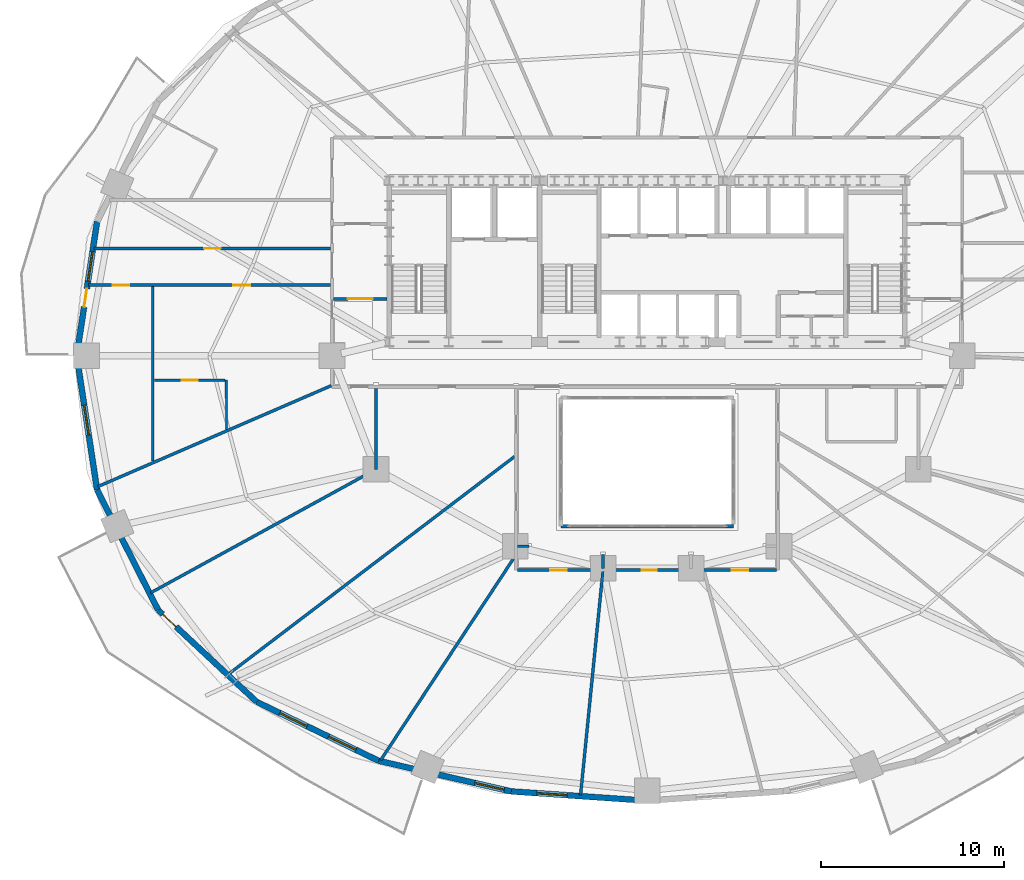
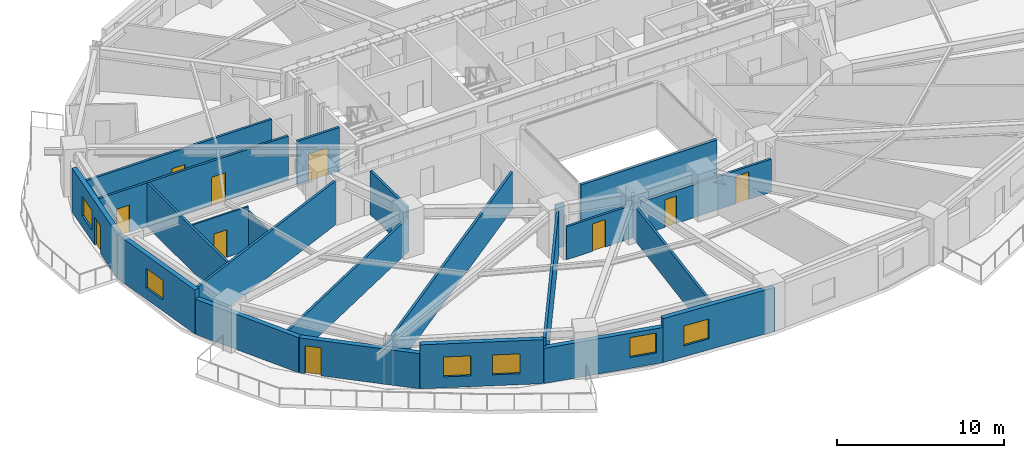
# One storey, part 9 of 18: 23 walls, 10 doors, 6 windows, 16 openings.
"""IFC4 building model written with IfcOpenShell, lengths in metres."""

from ifc_helpers import new_model, si_unit, direction, frame, frame_2d, origin, place, context, subcontext, project, spatial, rectangle, extrude, material, layer, layer_set, type_object, element, fill, save


model = new_model("IFC4")

# Units and contexts
model_context = context("Model", 3, precision=1e-05, world=origin(), true_north=direction((0.0, 1.0)))
body_context = subcontext(model_context, "Body", "Model", "MODEL_VIEW")
ifc_project = project(units=[si_unit("LENGTHUNIT", "METRE"), si_unit("AREAUNIT", "SQUARE_METRE"), si_unit("VOLUMEUNIT", "CUBIC_METRE"), si_unit("PLANEANGLEUNIT", "RADIAN"), si_unit("MASSUNIT", "GRAM", prefix="KILO")], contexts=[model_context])

# Site, building, storey
site_placement = place(None, origin())
site = spatial("IfcSite", under=ifc_project, at=site_placement, CompositionType="ELEMENT")
building_placement = place(site_placement, origin())
building = spatial("IfcBuilding", under=site, at=building_placement, Name="Haldorwick Loom Tower", CompositionType="ELEMENT")
storey_placement = place(building_placement, frame((0.0, 0.0, 41.25)))
storey = spatial("IfcBuildingStorey", under=building, at=storey_placement, Name="L10", CompositionType="ELEMENT", Elevation=41.25)

# Wall, openings, door, window
ifc_material_1 = material(Name="Pressed Clay Face Brick and Insulated Masonry Backup Assembly", Category="masonry")
ifc_layer_1 = layer(ifc_material_1, 0.320068359375, Name="Pressed Clay Face Brick and Insulated Masonry Backup Assembly", Category="masonry")
ifc_layer_set_1 = layer_set([ifc_layer_1], Name="Pressed Clay Face Brick and Insulated Masonry Backup Assembly")
wall_type_1 = type_object("IfcWallType", Name="ARC-WL-EXT320", PredefinedType="STANDARD", material=ifc_layer_set_1)
wall_1_placement = place(storey_placement, frame((5.978271484375, 33.320556640625, 0.0), z_axis=(0.0, 0.0, 1.0), x_axis=(-0.150476322528, -0.988613613278, 0.0)))
wall_1 = element("IfcWall", 1, at=wall_1_placement, inside=storey, type_object=wall_type_1, Name="L10 Brick Pier and Spandrel Wall 12", PredefinedType="STANDARD", context=body_context, shape_type="SweptSolid", body=[
    extrude(rectangle(XDim=7.40478515625, YDim=0.320068359375, at=frame_2d((3.702392578125, 0.0))), origin(), (0.0, 0.0, 1.0), 3.2099609375),
])
opening_1_placement = place(wall_1_placement, frame((3.714599609375, 0.0, 0.0)))
opening_1 = element("IfcOpeningElement", 2, at=opening_1_placement, cuts=wall_1, Name="Opening D-BL10", PredefinedType="OPENING", context=body_context, shape_type="SweptSolid", body=[
    extrude(rectangle(XDim=1.0, YDim=2.0400390625, at=frame_2d((0.5, 1.02001953125))), frame((0.0, 0.169921875, 0.0), z_axis=(0.0, -1.0, 0.0), x_axis=(1.0, 0.0, 0.0)), (0.0, 0.0, 1.0), 0.340087890625),
])
opening_2_placement = place(wall_1_placement, frame((1.653564453125, 0.0, 0.800048828125)))
opening_2 = element("IfcOpeningElement", 3, at=opening_2_placement, cuts=wall_1, Name="Opening W-01B", PredefinedType="OPENING", context=body_context, shape_type="SweptSolid", body=[
    extrude(rectangle(XDim=1.64990234375, YDim=1.449951171875, at=frame_2d((0.824951171875, 0.72509765625))), frame((0.0, 0.169921875, 0.0), z_axis=(0.0, -1.0, 0.0), x_axis=(1.0, 0.0, 0.0)), (0.0, 0.0, 1.0), 0.340087890625),
])
ifc_material_2 = material(Name="Thermally Broken Anodized Aluminium Curtain Wall Framing", Category="aluminium")
door_type_1 = type_object("IfcDoorType", Name="ARC-DR-BAL100", OperationType="NOTDEFINED", PredefinedType="DOOR", material=ifc_material_2)
door_1_placement = place(opening_1_placement, origin())
door_1 = element("IfcDoor", 4, at=door_1_placement, inside=storey, type_object=door_type_1, Name="L10 Outdoor Terrace Door SLB-L10-BAL_WNW", OperationType="SINGLE_SWING_LEFT", OverallHeight=2.0400390625, OverallWidth=1.0, PredefinedType="DOOR", context=body_context, shape_type="SweptSolid", body=[
    extrude(rectangle(XDim=1.0, YDim=2.0400390625, at=frame_2d((0.5, 1.02001953125))), frame((0.0, 0.02490234375, 0.0), z_axis=(0.0, -1.0, 0.0), x_axis=(1.0, 0.0, 0.0)), (0.0, 0.0, 1.0), 0.050048828125),
])
fill(opening_1, door_1)
ifc_material_3 = material(Name="Triple-Glazed Low-E Argon Insulated Glazing Unit", Category="glass")
window_type = type_object("IfcWindowType", Name="ARC-WIN-W165", PartitioningType="SINGLE_PANEL", PredefinedType="WINDOW", material=ifc_material_3)
window_1_placement = place(opening_2_placement, origin())
window_1 = element("IfcWindow", 5, at=window_1_placement, inside=storey, type_object=window_type, Name="L10 Deep-Set Zone 7A Window 12", OverallHeight=1.449951171875, OverallWidth=1.64990234375, PartitioningType="SINGLE_PANEL", PredefinedType="WINDOW", context=body_context, shape_type="SweptSolid", body=[
    extrude(rectangle(XDim=1.64990234375, YDim=1.449951171875, at=frame_2d((0.824951171875, 0.72509765625))), frame((0.0, 0.030029296875, 0.0), z_axis=(0.0, -1.0, 0.0), x_axis=(1.0, 0.0, 0.0)), (0.0, 0.0, 1.0), 0.06005859375),
])
fill(opening_2, window_1)

# Wall, opening, window
wall_2_placement = place(storey_placement, frame((4.864013671875, 26.0, 0.0), z_axis=(0.0, 0.0, 1.0), x_axis=(0.150476322528, -0.988613613278, 0.0)))
wall_2 = element("IfcWall", 6, at=wall_2_placement, inside=storey, type_object=wall_type_1, Name="L10 Brick Pier and Spandrel Wall 13", PredefinedType="STANDARD", context=body_context, shape_type="SweptSolid", body=[
    extrude(rectangle(XDim=7.40478515625, YDim=0.320068359375, at=frame_2d((3.702392578125, 0.0))), origin(), (0.0, 0.0, 1.0), 3.2099609375),
])
opening_3_placement = place(wall_2_placement, frame((2.728271484375, 0.0, 0.800048828125)))
opening_3 = element("IfcOpeningElement", 7, at=opening_3_placement, cuts=wall_2, Name="Opening W-01B", PredefinedType="OPENING", context=body_context, shape_type="SweptSolid", body=[
    extrude(rectangle(XDim=1.64990234375, YDim=1.449951171875, at=frame_2d((0.824951171875, 0.72509765625))), frame((0.0, 0.169921875, 0.0), z_axis=(0.0, -1.0, 0.0), x_axis=(1.0, 0.0, 0.0)), (0.0, 0.0, 1.0), 0.340087890625),
])
window_2_placement = place(opening_3_placement, origin())
window_2 = element("IfcWindow", 8, at=window_2_placement, inside=storey, type_object=window_type, Name="L10 Deep-Set Zone 7A Window 13", OverallHeight=1.449951171875, OverallWidth=1.64990234375, PartitioningType="SINGLE_PANEL", PredefinedType="WINDOW", context=body_context, shape_type="SweptSolid", body=[
    extrude(rectangle(XDim=1.64990234375, YDim=1.449951171875, at=frame_2d((0.824951171875, 0.72509765625))), frame((0.0, 0.030029296875, 0.0), z_axis=(0.0, -1.0, 0.0), x_axis=(1.0, 0.0, 0.0)), (0.0, 0.0, 1.0), 0.06005859375),
])
fill(opening_3, window_2)

# Wall
wall_3_placement = place(storey_placement, frame((5.978271484375, 18.679443359375, 0.0), z_axis=(0.0, 0.0, 1.0), x_axis=(0.452950855928, -0.891535485617, 0.0)))
element("IfcWall", 9, at=wall_3_placement, inside=storey, type_object=wall_type_1, Name="L10 Brick Pier and Spandrel Wall 14", PredefinedType="STANDARD", context=body_context, shape_type="SweptSolid", body=[
    extrude(rectangle(XDim=7.3583984375, YDim=0.320068359375, at=frame_2d((3.67919921875, 0.0))), origin(), (0.0, 0.0, 1.0), 2.569091796875),
])

# Wall, opening, door
wall_4_placement = place(storey_placement, frame((9.311279296875, 12.119140625, 0.0), z_axis=(0.0, 0.0, 1.0), x_axis=(0.73176101237, -0.681561311091, 0.0)))
wall_4 = element("IfcWall", 10, at=wall_4_placement, inside=storey, type_object=wall_type_1, Name="L10 Brick Pier and Spandrel Wall 15", PredefinedType="STANDARD", context=body_context, shape_type="SweptSolid", body=[
    extrude(rectangle(XDim=7.3583984375, YDim=0.320068359375, at=frame_2d((3.67919921875, 0.0))), origin(), (0.0, 0.0, 1.0), 2.569091796875),
])
opening_4_placement = place(wall_4_placement, frame((0.340087890625, 0.0, 0.0)))
opening_4 = element("IfcOpeningElement", 11, at=opening_4_placement, cuts=wall_4, Name="Opening D-BL10", PredefinedType="OPENING", context=body_context, shape_type="SweptSolid", body=[
    extrude(rectangle(XDim=1.0, YDim=2.0400390625, at=frame_2d((0.5, 1.02001953125))), frame((0.0, 0.169921875, 0.0), z_axis=(0.0, -1.0, 0.0), x_axis=(1.0, 0.0, 0.0)), (0.0, 0.0, 1.0), 0.340087890625),
])
door_2_placement = place(opening_4_placement, origin())
door_2 = element("IfcDoor", 12, at=door_2_placement, inside=storey, type_object=door_type_1, Name="L10 Outdoor Terrace Door SLB-L10-BAL_SW", OperationType="SINGLE_SWING_LEFT", OverallHeight=2.0400390625, OverallWidth=1.0, PredefinedType="DOOR", context=body_context, shape_type="SweptSolid", body=[
    extrude(rectangle(XDim=1.0, YDim=2.0400390625, at=frame_2d((0.5, 1.02001953125))), frame((0.0, 0.02490234375, 0.0), z_axis=(0.0, -1.0, 0.0), x_axis=(1.0, 0.0, 0.0)), (0.0, 0.0, 1.0), 0.050048828125),
])
fill(opening_4, door_2)

# Wall, openings, windows
wall_5_placement = place(storey_placement, frame((14.69580078125, 7.10400390625, 0.0), z_axis=(0.0, 0.0, 1.0), x_axis=(0.900295710431, -0.435278800057, 0.0)))
wall_5 = element("IfcWall", 13, at=wall_5_placement, inside=storey, type_object=wall_type_1, Name="L10 Brick Pier and Spandrel Wall 16", PredefinedType="STANDARD", context=body_context, shape_type="SweptSolid", body=[
    extrude(rectangle(XDim=7.39697265625, YDim=0.320068359375, at=frame_2d((3.698486328125, 0.0))), origin(), (0.0, 0.0, 1.0), 3.2099609375),
])
opening_5_placement = place(wall_5_placement, frame((1.39404296875, 0.0, 0.800048828125)))
opening_5 = element("IfcOpeningElement", 14, at=opening_5_placement, cuts=wall_5, Name="Opening W-01B", PredefinedType="OPENING", context=body_context, shape_type="SweptSolid", body=[
    extrude(rectangle(XDim=1.64990234375, YDim=1.449951171875, at=frame_2d((0.824951171875, 0.72509765625))), frame((0.0, 0.169921875, 0.0), z_axis=(0.0, -1.0, 0.0), x_axis=(1.0, 0.0, 0.0)), (0.0, 0.0, 1.0), 0.340087890625),
])
opening_6_placement = place(wall_5_placement, frame((4.352783203125, 0.0, 0.800048828125)))
opening_6 = element("IfcOpeningElement", 15, at=opening_6_placement, cuts=wall_5, Name="Opening W-01B", PredefinedType="OPENING", context=body_context, shape_type="SweptSolid", body=[
    extrude(rectangle(XDim=1.64990234375, YDim=1.449951171875, at=frame_2d((0.824951171875, 0.72509765625))), frame((0.0, 0.169921875, 0.0), z_axis=(0.0, -1.0, 0.0), x_axis=(1.0, 0.0, 0.0)), (0.0, 0.0, 1.0), 0.340087890625),
])
window_3_placement = place(opening_5_placement, origin())
window_3 = element("IfcWindow", 16, at=window_3_placement, inside=storey, type_object=window_type, Name="L10 Deep-Set Zone 7A Window 16", OverallHeight=1.449951171875, OverallWidth=1.64990234375, PartitioningType="SINGLE_PANEL", PredefinedType="WINDOW", context=body_context, shape_type="SweptSolid", body=[
    extrude(rectangle(XDim=1.64990234375, YDim=1.449951171875, at=frame_2d((0.824951171875, 0.72509765625))), frame((0.0, 0.030029296875, 0.0), z_axis=(0.0, -1.0, 0.0), x_axis=(1.0, 0.0, 0.0)), (0.0, 0.0, 1.0), 0.06005859375),
])
fill(opening_5, window_3)
window_4_placement = place(opening_6_placement, origin())
window_4 = element("IfcWindow", 17, at=window_4_placement, inside=storey, type_object=window_type, Name="L10 Deep-Set Zone 7A Window 16", OverallHeight=1.449951171875, OverallWidth=1.64990234375, PartitioningType="SINGLE_PANEL", PredefinedType="WINDOW", context=body_context, shape_type="SweptSolid", body=[
    extrude(rectangle(XDim=1.64990234375, YDim=1.449951171875, at=frame_2d((0.824951171875, 0.72509765625))), frame((0.0, 0.030029296875, 0.0), z_axis=(0.0, -1.0, 0.0), x_axis=(1.0, 0.0, 0.0)), (0.0, 0.0, 1.0), 0.06005859375),
])
fill(opening_6, window_4)

# Wall, opening, window
wall_6_placement = place(storey_placement, frame((21.355224609375, 3.88427734375, 0.0), z_axis=(0.0, 0.0, 1.0), x_axis=(0.974522412345, -0.224290142088, 0.0)))
wall_6 = element("IfcWall", 18, at=wall_6_placement, inside=storey, type_object=wall_type_1, Name="L10 Brick Pier and Spandrel Wall 17", PredefinedType="STANDARD", context=body_context, shape_type="SweptSolid", body=[
    extrude(rectangle(XDim=7.422607421875, YDim=0.320068359375, at=frame_2d((3.71142578125, 0.0))), origin(), (0.0, 0.0, 1.0), 2.569091796875),
])
opening_7_placement = place(wall_6_placement, frame((5.37255859375, 0.0, 0.800048828125)))
opening_7 = element("IfcOpeningElement", 19, at=opening_7_placement, cuts=wall_6, Name="Opening W-01B", PredefinedType="OPENING", context=body_context, shape_type="SweptSolid", body=[
    extrude(rectangle(XDim=1.64990234375, YDim=1.449951171875, at=frame_2d((0.824951171875, 0.72509765625))), frame((0.0, 0.169921875, 0.0), z_axis=(0.0, -1.0, 0.0), x_axis=(1.0, 0.0, 0.0)), (0.0, 0.0, 1.0), 0.340087890625),
])
window_5_placement = place(opening_7_placement, origin())
window_5 = element("IfcWindow", 20, at=window_5_placement, inside=storey, type_object=window_type, Name="L10 Deep-Set Zone 7A Window 17", OverallHeight=1.449951171875, OverallWidth=1.64990234375, PartitioningType="SINGLE_PANEL", PredefinedType="WINDOW", context=body_context, shape_type="SweptSolid", body=[
    extrude(rectangle(XDim=1.64990234375, YDim=1.449951171875, at=frame_2d((0.824951171875, 0.72509765625))), frame((0.0, 0.030029296875, 0.0), z_axis=(0.0, -1.0, 0.0), x_axis=(1.0, 0.0, 0.0)), (0.0, 0.0, 1.0), 0.06005859375),
])
fill(opening_7, window_5)

wall_7_placement = place(storey_placement, frame((28.588623046875, 2.219482421875, 0.0), z_axis=(0.0, 0.0, 1.0), x_axis=(0.997645161917, -0.068586667092, 0.0)))
wall_7 = element("IfcWall", 21, at=wall_7_placement, inside=storey, type_object=wall_type_1, Name="L10 Brick Pier and Spandrel Wall 18", PredefinedType="STANDARD", context=body_context, shape_type="SweptSolid", body=[
    extrude(rectangle(XDim=7.428955078125, YDim=0.320068359375, at=frame_2d((3.71435546875, 0.0))), origin(), (0.0, 0.0, 1.0), 3.2099609375),
])
opening_8_placement = place(wall_7_placement, frame((1.403564453125, 0.0, 0.800048828125)))
opening_8 = element("IfcOpeningElement", 22, at=opening_8_placement, cuts=wall_7, Name="Opening W-01B", PredefinedType="OPENING", context=body_context, shape_type="SweptSolid", body=[
    extrude(rectangle(XDim=1.64990234375, YDim=1.449951171875, at=frame_2d((0.824951171875, 0.72509765625))), frame((0.0, 0.169921875, 0.0), z_axis=(0.0, -1.0, 0.0), x_axis=(1.0, 0.0, 0.0)), (0.0, 0.0, 1.0), 0.340087890625),
])
window_6_placement = place(opening_8_placement, origin())
window_6 = element("IfcWindow", 23, at=window_6_placement, inside=storey, type_object=window_type, Name="L10 Deep-Set Zone 7A Window 18", OverallHeight=1.449951171875, OverallWidth=1.64990234375, PartitioningType="SINGLE_PANEL", PredefinedType="WINDOW", context=body_context, shape_type="SweptSolid", body=[
    extrude(rectangle(XDim=1.64990234375, YDim=1.449951171875, at=frame_2d((0.824951171875, 0.72509765625))), frame((0.0, 0.030029296875, 0.0), z_axis=(0.0, -1.0, 0.0), x_axis=(1.0, 0.0, 0.0)), (0.0, 0.0, 1.0), 0.06005859375),
])
fill(opening_8, window_6)

# Wall, opening, door
ifc_material_4 = material(Name="Fire-Rated Type X Gypsum Stud Assembly EI 60")
ifc_layer_2 = layer(ifc_material_4, 0.159912109375, Name="Fire-Rated Type X Gypsum Stud Assembly EI 60")
ifc_layer_set_2 = layer_set([ifc_layer_2], Name="Fire-Rated Type X Gypsum Stud Assembly EI 60")
wall_type_2 = type_object("IfcWallType", Name="ARC-WL-FIRE160", PredefinedType="PARTITIONING", material=ifc_layer_set_2)
wall_8_placement = place(storey_placement, frame((18.883056640625, 29.10009765625, 0.0), z_axis=(0.0, 0.0, 1.0), x_axis=(1.0, 0.0, 0.0)))
wall_8 = element("IfcWall", 24, at=wall_8_placement, inside=storey, type_object=wall_type_2, Name="L10 Residential Fire Partition L10-CR-WSJ", PredefinedType="PARTITIONING", context=body_context, shape_type="SweptSolid", body=[
    extrude(rectangle(XDim=2.923828125, YDim=0.159912109375, at=frame_2d((1.4619140625, 0.0))), origin(), (0.0, 0.0, 1.0), 3.195068359375),
])
opening_9_placement = place(wall_8_placement, frame((0.787109375, 0.0, 0.0)))
opening_9 = element("IfcOpeningElement", 25, at=opening_9_placement, cuts=wall_8, Name="Opening D-CR15", PredefinedType="OPENING", context=body_context, shape_type="SweptSolid", body=[
    extrude(rectangle(XDim=1.35009765625, YDim=2.0, at=frame_2d((0.675048828125, 1.0))), frame((0.0, 0.08984375, 0.0), z_axis=(0.0, -1.0, 0.0), x_axis=(1.0, 0.0, 0.0)), (0.0, 0.0, 1.0), 0.179931640625),
])
ifc_material_5 = material(Name="Thermally Broken Anodized Aluminium and Tempered Glass", Category="aluminium")
door_type_2 = type_object("IfcDoorType", Name="ARC-DR-COR150", OperationType="NOTDEFINED", PredefinedType="DOOR", material=ifc_material_5)
door_3_placement = place(opening_9_placement, origin())
door_3 = element("IfcDoor", 26, at=door_3_placement, inside=storey, type_object=door_type_2, Name="L10 L10 West Residential Corridor to L10 Central Residential Corridor Do", OperationType="DOUBLE_DOOR_SINGLE_SWING", OverallHeight=2.0, OverallWidth=1.35009765625, PredefinedType="DOOR", context=body_context, shape_type="SweptSolid", body=[
    extrude(rectangle(XDim=1.35009765625, YDim=2.0, at=frame_2d((0.675048828125, 1.0))), frame((0.0, 0.02490234375, 0.0), z_axis=(0.0, -1.0, 0.0), x_axis=(1.0, 0.0, 0.0)), (0.0, 0.0, 1.0), 0.050048828125),
])
fill(opening_9, door_3)

# Wall, openings, doors
wall_9_placement = place(storey_placement, frame((28.93310546875, 14.300048828125, 0.0), z_axis=(0.0, 0.0, 1.0), x_axis=(1.0, 0.0, 0.0)))
wall_9 = element("IfcWall", 27, at=wall_9_placement, inside=storey, type_object=wall_type_2, Name="L10 Residential Fire Partition L10-CR-AS", PredefinedType="PARTITIONING", context=body_context, shape_type="SweptSolid", body=[
    extrude(rectangle(XDim=14.1337890625, YDim=0.159912109375, at=frame_2d((7.06689453125, 0.0))), origin(), (0.0, 0.0, 1.0), 2.412109375),
])
opening_10_placement = place(wall_9_placement, frame((1.77880859375, 0.0, 0.0)))
opening_10 = element("IfcOpeningElement", 28, at=opening_10_placement, cuts=wall_9, Name="Opening D-FD60A", PredefinedType="OPENING", context=body_context, shape_type="SweptSolid", body=[
    extrude(rectangle(XDim=0.89990234375, YDim=2.0, at=frame_2d((0.449951171875, 1.0))), frame((0.0, 0.08984375, 0.0), z_axis=(0.0, -1.0, 0.0), x_axis=(1.0, 0.0, 0.0)), (0.0, 0.0, 1.0), 0.179931640625),
])
opening_11_placement = place(wall_9_placement, frame((11.6962890625, 0.0, 0.0)))
opening_11 = element("IfcOpeningElement", 29, at=opening_11_placement, cuts=wall_9, Name="Opening D-FD60A", PredefinedType="OPENING", context=body_context, shape_type="SweptSolid", body=[
    extrude(rectangle(XDim=0.89990234375, YDim=2.0, at=frame_2d((0.449951171875, 1.0))), frame((0.0, 0.08984375, 0.0), z_axis=(0.0, -1.0, 0.0), x_axis=(1.0, 0.0, 0.0)), (0.0, 0.0, 1.0), 0.179931640625),
])
opening_12_placement = place(wall_9_placement, frame((6.77880859375, 0.0, 0.0)))
opening_12 = element("IfcOpeningElement", 30, at=opening_12_placement, cuts=wall_9, Name="Opening D-FD80", PredefinedType="OPENING", context=body_context, shape_type="SweptSolid", body=[
    extrude(rectangle(XDim=0.800048828125, YDim=2.0, at=frame_2d((0.39990234375, 1.0))), frame((0.0, 0.08984375, 0.0), z_axis=(0.0, -1.0, 0.0), x_axis=(1.0, 0.0, 0.0)), (0.0, 0.0, 1.0), 0.179931640625),
])
ifc_material_6 = material(Name="Hollow Steel Fire Door Assembly", Category="steel")
door_type_3 = type_object("IfcDoorType", Name="ARC-DR-FD60-80", OperationType="NOTDEFINED", PredefinedType="DOOR", material=ifc_material_6)
door_4_placement = place(opening_12_placement, origin())
door_4 = element("IfcDoor", 31, at=door_4_placement, inside=storey, type_object=door_type_3, Name="L10 L10 South Atrium Corridor to Community Teaching Classroom 8 Door", OperationType="SINGLE_SWING_LEFT", OverallHeight=2.0, OverallWidth=0.800048828125, PredefinedType="DOOR", context=body_context, shape_type="SweptSolid", body=[
    extrude(rectangle(XDim=0.800048828125, YDim=2.0, at=frame_2d((0.39990234375, 1.0))), frame((0.0, 0.02490234375, 0.0), z_axis=(0.0, -1.0, 0.0), x_axis=(1.0, 0.0, 0.0)), (0.0, 0.0, 1.0), 0.050048828125),
])
fill(opening_12, door_4)
door_type_4 = type_object("IfcDoorType", Name="ARC-DR-FD60-90", OperationType="NOTDEFINED", PredefinedType="DOOR", material=ifc_material_6)
door_5_placement = place(opening_10_placement, origin())
door_5 = element("IfcDoor", 32, at=door_5_placement, inside=storey, type_object=door_type_4, Name="L10 L10 South Atrium Corridor to Community Teaching Classroom 15 Door", OperationType="SINGLE_SWING_RIGHT", OverallHeight=2.0, OverallWidth=0.89990234375, PredefinedType="DOOR", context=body_context, shape_type="SweptSolid", body=[
    extrude(rectangle(XDim=0.89990234375, YDim=2.0, at=frame_2d((0.449951171875, 1.0))), frame((0.0, 0.02490234375, 0.0), z_axis=(0.0, -1.0, 0.0), x_axis=(1.0, 0.0, 0.0)), (0.0, 0.0, 1.0), 0.050048828125),
])
fill(opening_10, door_5)
door_6_placement = place(opening_11_placement, origin())
door_6 = element("IfcDoor", 33, at=door_6_placement, inside=storey, type_object=door_type_4, Name="L10 L10 South Atrium Corridor to Community Teaching Classroom 9 Door", OperationType="SINGLE_SWING_LEFT", OverallHeight=2.0, OverallWidth=0.89990234375, PredefinedType="DOOR", context=body_context, shape_type="SweptSolid", body=[
    extrude(rectangle(XDim=0.89990234375, YDim=2.0, at=frame_2d((0.449951171875, 1.0))), frame((0.0, 0.02490234375, 0.0), z_axis=(0.0, -1.0, 0.0), x_axis=(1.0, 0.0, 0.0)), (0.0, 0.0, 1.0), 0.050048828125),
])
fill(opening_11, door_6)

wall_10_placement = place(storey_placement, frame((5.515625, 29.85009765625, 0.0), z_axis=(0.0, 0.0, 1.0), x_axis=(1.0, 0.0, 0.0)))
wall_10 = element("IfcWall", 34, at=wall_10_placement, inside=storey, type_object=wall_type_2, Name="L10 Residential Fire Partition L10-CR-GW0", PredefinedType="PARTITIONING", context=body_context, shape_type="SweptSolid", body=[
    extrude(rectangle(XDim=13.201416015625, YDim=0.159912109375, at=frame_2d((6.6005859375, 0.0))), origin(), (0.0, 0.0, 1.0), 3.195068359375),
])
opening_13_placement = place(wall_10_placement, frame((7.8857421875, 0.0, 0.0)))
opening_13 = element("IfcOpeningElement", 35, at=opening_13_placement, cuts=wall_10, Name="Opening D-FL95", PredefinedType="OPENING", context=body_context, shape_type="SweptSolid", body=[
    extrude(rectangle(XDim=0.949951171875, YDim=2.0400390625, at=frame_2d((0.47509765625, 1.02001953125))), frame((0.0, 0.08984375, 0.0), z_axis=(0.0, -1.0, 0.0), x_axis=(1.0, 0.0, 0.0)), (0.0, 0.0, 1.0), 0.179931640625),
])
opening_14_placement = place(wall_10_placement, frame((1.310302734375, 0.0, 0.0)))
opening_14 = element("IfcOpeningElement", 36, at=opening_14_placement, cuts=wall_10, Name="Opening D-FD60A", PredefinedType="OPENING", context=body_context, shape_type="SweptSolid", body=[
    extrude(rectangle(XDim=0.89990234375, YDim=2.0, at=frame_2d((0.449951171875, 1.0))), frame((0.0, 0.08984375, 0.0), z_axis=(0.0, -1.0, 0.0), x_axis=(1.0, 0.0, 0.0)), (0.0, 0.0, 1.0), 0.179931640625),
])
door_7_placement = place(opening_14_placement, origin())
door_7 = element("IfcDoor", 37, at=door_7_placement, inside=storey, type_object=door_type_4, Name="L10 L10 West Daylight Corridor to Community Teaching Classroom 18 Door", OperationType="SINGLE_SWING_RIGHT", OverallHeight=2.0, OverallWidth=0.89990234375, PredefinedType="DOOR", context=body_context, shape_type="SweptSolid", body=[
    extrude(rectangle(XDim=0.89990234375, YDim=2.0, at=frame_2d((0.449951171875, 1.0))), frame((0.0, 0.02490234375, 0.0), z_axis=(0.0, -1.0, 0.0), x_axis=(1.0, 0.0, 0.0)), (0.0, 0.0, 1.0), 0.050048828125),
])
fill(opening_14, door_7)
ifc_material_7 = material(Name="Solid Core Birch Architectural Door")
door_type_5 = type_object("IfcDoorType", Name="ARC-DR-FLAT95", OperationType="NOTDEFINED", PredefinedType="DOOR", material=ifc_material_7)
door_8_placement = place(opening_13_placement, origin())
door_8 = element("IfcDoor", 38, at=door_8_placement, inside=storey, type_object=door_type_5, Name="L10 L10 West Daylight Corridor to Unit 10L Kitchen and Studio Living Roo", OperationType="SINGLE_SWING_RIGHT", OverallHeight=2.0400390625, OverallWidth=0.949951171875, PredefinedType="DOOR", context=body_context, shape_type="SweptSolid", body=[
    extrude(rectangle(XDim=0.949951171875, YDim=2.0400390625, at=frame_2d((0.47509765625, 1.02001953125))), frame((0.0, 0.02490234375, 0.0), z_axis=(0.0, -1.0, 0.0), x_axis=(1.0, 0.0, 0.0)), (0.0, 0.0, 1.0), 0.050048828125),
])
fill(opening_13, door_8)

# Wall, opening, door
wall_11_placement = place(storey_placement, frame((5.820068359375, 31.85009765625, 0.0), z_axis=(0.0, 0.0, 1.0), x_axis=(1.0, 0.0, 0.0)))
wall_11 = element("IfcWall", 39, at=wall_11_placement, inside=storey, type_object=wall_type_2, Name="L10 Residential Fire Partition L10-CR-GW1", PredefinedType="PARTITIONING", context=body_context, shape_type="SweptSolid", body=[
    extrude(rectangle(XDim=12.89697265625, YDim=0.159912109375, at=frame_2d((6.448486328125, 0.0))), origin(), (0.0, 0.0, 1.0), 3.195068359375),
])
opening_15_placement = place(wall_11_placement, frame((5.99853515625, 0.0, 0.0)))
opening_15 = element("IfcOpeningElement", 40, at=opening_15_placement, cuts=wall_11, Name="Opening D-FD60A", PredefinedType="OPENING", context=body_context, shape_type="SweptSolid", body=[
    extrude(rectangle(XDim=0.89990234375, YDim=2.0, at=frame_2d((0.449951171875, 1.0))), frame((0.0, 0.08984375, 0.0), z_axis=(0.0, -1.0, 0.0), x_axis=(1.0, 0.0, 0.0)), (0.0, 0.0, 1.0), 0.179931640625),
])
door_9_placement = place(opening_15_placement, frame((0.89990234375, 0.0, 0.0), z_axis=(0.0, 0.0, 1.0), x_axis=(-1.0, 0.0, 0.0)))
door_9 = element("IfcDoor", 41, at=door_9_placement, inside=storey, type_object=door_type_4, Name="L10 Board Study Room 3 to L10 West Daylight Corridor Door", OperationType="SINGLE_SWING_RIGHT", OverallHeight=2.0, OverallWidth=0.89990234375, PredefinedType="DOOR", context=body_context, shape_type="SweptSolid", body=[
    extrude(rectangle(XDim=0.89990234375, YDim=2.0, at=frame_2d((0.449951171875, 1.0))), frame((0.0, 0.02490234375, 0.0), z_axis=(0.0, -1.0, 0.0), x_axis=(1.0, 0.0, 0.0)), (0.0, 0.0, 1.0), 0.050048828125),
])
fill(opening_15, door_9)

# Walls
wall_12_placement = place(storey_placement, frame((33.581787109375, 14.217041015625, 0.0), z_axis=(0.0, 0.0, 1.0), x_axis=(-0.099130843149, -0.995074407236, 0.0)))
element("IfcWall", 42, at=wall_12_placement, inside=storey, type_object=wall_type_2, Name="L10 Residential Fire Partition L10-ICR-08", PredefinedType="PARTITIONING", context=body_context, shape_type="SweptSolid", body=[
    extrude(rectangle(XDim=12.25244140625, YDim=0.159912109375, at=frame_2d((6.126220703125, 0.0))), origin(), (0.0, 0.0, 1.0), 2.489990234375),
])
wall_13_placement = place(storey_placement, frame((21.199951171875, 19.800048828125, 0.0), z_axis=(0.0, 0.0, 1.0), x_axis=(-0.876894100386, -0.480683613938, 0.0)))
element("IfcWall", 43, at=wall_13_placement, inside=storey, type_object=wall_type_2, Name="L10 Residential Fire Partition L10-ICR-11", PredefinedType="PARTITIONING", context=body_context, shape_type="SweptSolid", body=[
    extrude(rectangle(XDim=14.020263671875, YDim=0.159912109375, at=frame_2d((7.01025390625, 0.0))), origin(), (0.0, 0.0, 1.0), 2.489990234375),
])
wall_14_placement = place(storey_placement, frame((33.60009765625, 15.14990234375, 0.0), z_axis=(0.0, 0.0, 1.0), x_axis=(0.0, -1.0, 0.0)))
element("IfcWall", 44, at=wall_14_placement, inside=storey, type_object=wall_type_2, Name="L10 Residential Fire Partition L10-ICA-07", PredefinedType="PARTITIONING", context=body_context, shape_type="SweptSolid", body=[
    extrude(rectangle(XDim=0.75, YDim=0.159912109375, at=frame_2d((0.375, 0.0))), origin(), (0.0, 0.0, 1.0), 3.195068359375),
])
wall_15_placement = place(storey_placement, frame((29.550048828125, 15.60009765625, 0.0), z_axis=(0.0, 0.0, 1.0), x_axis=(-1.0, 0.0, 0.0)))
element("IfcWall", 45, at=wall_15_placement, inside=storey, type_object=wall_type_2, Name="L10 Residential Fire Partition L10-ICA-09", PredefinedType="PARTITIONING", context=body_context, shape_type="SweptSolid", body=[
    extrude(rectangle(XDim=0.616943359375, YDim=0.159912109375, at=frame_2d((0.30859375, 0.0))), origin(), (0.0, 0.0, 1.0), 3.195068359375),
])
wall_16_placement = place(storey_placement, frame((21.199951171875, 24.217041015625, 0.0), z_axis=(0.0, 0.0, 1.0), x_axis=(0.0, -1.0, 0.0)))
element("IfcWall", 46, at=wall_16_placement, inside=storey, type_object=wall_type_2, Name="L10 Residential Fire Partition L10-ICA-10", PredefinedType="PARTITIONING", context=body_context, shape_type="SweptSolid", body=[
    extrude(rectangle(XDim=4.4169921875, YDim=0.159912109375, at=frame_2d((2.20849609375, 0.0))), origin(), (0.0, 0.0, 1.0), 3.195068359375),
])
wall_17_placement = place(storey_placement, frame((28.76708984375, 20.498779296875, 0.0), z_axis=(0.0, 0.0, 1.0), x_axis=(-0.795953215625, -0.605358140721, 0.0)))
element("IfcWall", 47, at=wall_17_placement, inside=storey, type_object=wall_type_2, Name="L10 Suite Split Wall", PredefinedType="PARTITIONING", context=body_context, shape_type="SweptSolid", body=[
    extrude(rectangle(XDim=19.612548828125, YDim=0.159912109375, at=frame_2d((9.80615234375, 0.0))), origin(), (0.0, 0.0, 1.0), 2.718994140625),
])
wall_18_placement = place(storey_placement, frame((6.01708984375, 18.85546875, 0.0), z_axis=(0.0, 0.0, 1.0), x_axis=(0.917855823935, 0.396913953483, 0.0)))
element("IfcWall", 48, at=wall_18_placement, inside=storey, type_object=wall_type_2, Name="L10 Suite Split Wall", PredefinedType="PARTITIONING", context=body_context, shape_type="SweptSolid", body=[
    extrude(rectangle(XDim=13.88330078125, YDim=0.159912109375, at=frame_2d((6.941650390625, 0.0))), origin(), (0.0, 0.0, 1.0), 3.195068359375),
])
wall_19_placement = place(storey_placement, frame((28.76708984375, 15.018798828125, 0.0), z_axis=(0.0, 0.0, 1.0), x_axis=(-0.550076561754, -0.835114229438, 0.0)))
element("IfcWall", 49, at=wall_19_placement, inside=storey, type_object=wall_type_2, Name="L10 Suite Split Wall", PredefinedType="PARTITIONING", context=body_context, shape_type="SweptSolid", body=[
    extrude(rectangle(XDim=13.281982421875, YDim=0.159912109375, at=frame_2d((6.64111328125, 0.0))), origin(), (0.0, 0.0, 1.0), 3.195068359375),
])
wall_20_placement = place(storey_placement, frame((9.018310546875, 20.243896484375, 0.0), z_axis=(0.0, 0.0, 1.0), x_axis=(0.0, 1.0, 0.0)))
element("IfcWall", 50, at=wall_20_placement, inside=storey, type_object=wall_type_2, Name="L10 Suite Split Wall", PredefinedType="PARTITIONING", context=body_context, shape_type="SweptSolid", body=[
    extrude(rectangle(XDim=9.523193359375, YDim=0.159912109375, at=frame_2d((4.76171875, 0.0))), origin(), (0.0, 0.0, 1.0), 3.195068359375),
])
ifc_material_8 = material(Name="Fire-Rated Type X Gypsum Stud Assembly EI 120")
ifc_layer_3 = layer(ifc_material_8, 0.199951171875, Name="Fire-Rated Type X Gypsum Stud Assembly EI 120")
ifc_layer_set_3 = layer_set([ifc_layer_3], Name="Fire-Rated Type X Gypsum Stud Assembly EI 120")
wall_type_3 = type_object("IfcWallType", Name="ARC-WL-FIRE200", PredefinedType="PARTITIONING", material=ifc_layer_set_3)
wall_21_placement = place(storey_placement, frame((40.699951171875, 16.699951171875, 0.0), z_axis=(0.0, 0.0, 1.0), x_axis=(-1.0, 0.0, 0.0)))
element("IfcWall", 51, at=wall_21_placement, inside=storey, type_object=wall_type_3, Name="L10 Atrium Fire Enclosure Wall S", PredefinedType="PARTITIONING", context=body_context, shape_type="SweptSolid", body=[
    extrude(rectangle(XDim=9.39990234375, YDim=0.199951171875, at=frame_2d((4.699951171875, 0.0))), origin(), (0.0, 0.0, 1.0), 3.195068359375),
])
ifc_material_9 = material(Name="Acoustic Gypsum Stud Assembly STC 55")
ifc_layer_4 = layer(ifc_material_9, 0.1201171875, Name="Acoustic Gypsum Stud Assembly STC 55")
ifc_layer_set_4 = layer_set([ifc_layer_4], Name="Acoustic Gypsum Stud Assembly STC 55")
wall_type_4 = type_object("IfcWallType", Name="ARC-WL-PART120", PredefinedType="PARTITIONING", material=ifc_layer_set_4)
wall_22_placement = place(storey_placement, frame((13.0322265625, 24.662841796875, 0.0), z_axis=(0.0, 0.0, 1.0), x_axis=(0.001365621451, -0.999999067539, 0.0)))
element("IfcWall", 52, at=wall_22_placement, inside=storey, type_object=wall_type_4, Name="L10 Unit 10L Interior Partition", PredefinedType="PARTITIONING", context=body_context, shape_type="SweptSolid", body=[
    extrude(rectangle(XDim=2.681640625, YDim=0.1201171875, at=frame_2d((1.3408203125, 0.0))), origin(), (0.0, 0.0, 1.0), 2.826904296875),
])

# Wall, opening, door
wall_23_placement = place(storey_placement, frame((12.96923828125, 24.66259765625, 0.0), z_axis=(0.0, 0.0, 1.0), x_axis=(-0.99999903586, -0.001388624553, 0.0)))
wall_23 = element("IfcWall", 53, at=wall_23_placement, inside=storey, type_object=wall_type_4, Name="L10 Unit 10L Interior Partition", PredefinedType="PARTITIONING", context=body_context, shape_type="SweptSolid", body=[
    extrude(rectangle(XDim=3.867919921875, YDim=0.1201171875, at=frame_2d((1.93408203125, 0.0))), origin(), (0.0, 0.0, 1.0), 3.195068359375),
])
opening_16_placement = place(wall_23_placement, frame((1.493896484375, 0.0, 0.0)))
opening_16 = element("IfcOpeningElement", 54, at=opening_16_placement, cuts=wall_23, Name="Opening D-BT88", PredefinedType="OPENING", context=body_context, shape_type="SweptSolid", body=[
    extrude(rectangle(XDim=0.8798828125, YDim=2.02001953125, at=frame_2d((0.43994140625, 1.010009765625))), frame((0.0, 0.070068359375, 0.0), z_axis=(0.0, -1.0, 0.0), x_axis=(1.0, 0.0, 0.0)), (0.0, 0.0, 1.0), 0.14013671875),
])
door_type_6 = type_object("IfcDoorType", Name="ARC-DR-BATH88", OperationType="NOTDEFINED", PredefinedType="DOOR", material=ifc_material_7)
door_10_placement = place(opening_16_placement, origin())
door_10 = element("IfcDoor", 55, at=door_10_placement, inside=storey, type_object=door_type_6, Name="L10 Unit 10L Bathroom to Unit 10L Kitchen and Studio Living Room Door", OperationType="SINGLE_SWING_LEFT", OverallHeight=2.02001953125, OverallWidth=0.8798828125, PredefinedType="DOOR", context=body_context, shape_type="SweptSolid", body=[
    extrude(rectangle(XDim=0.8798828125, YDim=2.02001953125, at=frame_2d((0.43994140625, 1.010009765625))), frame((0.0, 0.02490234375, 0.0), z_axis=(0.0, -1.0, 0.0), x_axis=(1.0, 0.0, 0.0)), (0.0, 0.0, 1.0), 0.050048828125),
])
fill(opening_16, door_10)

save(model, "model.ifc")
